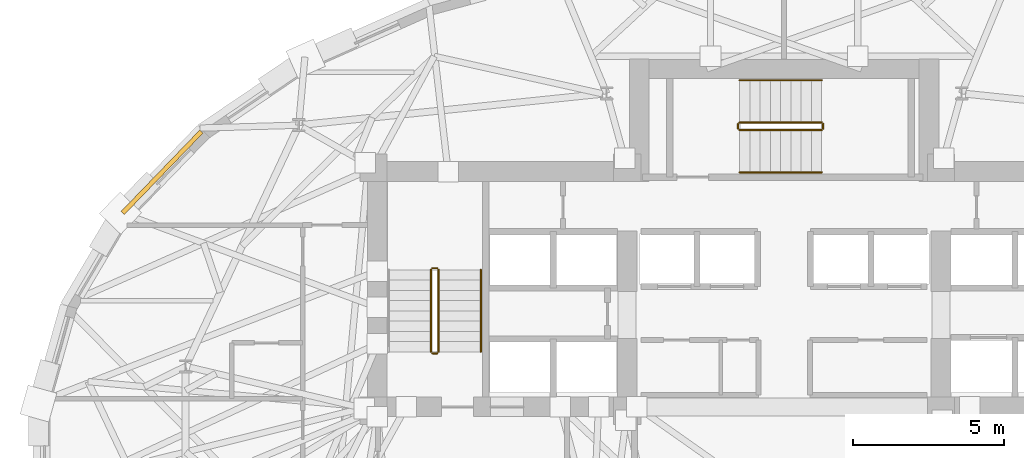
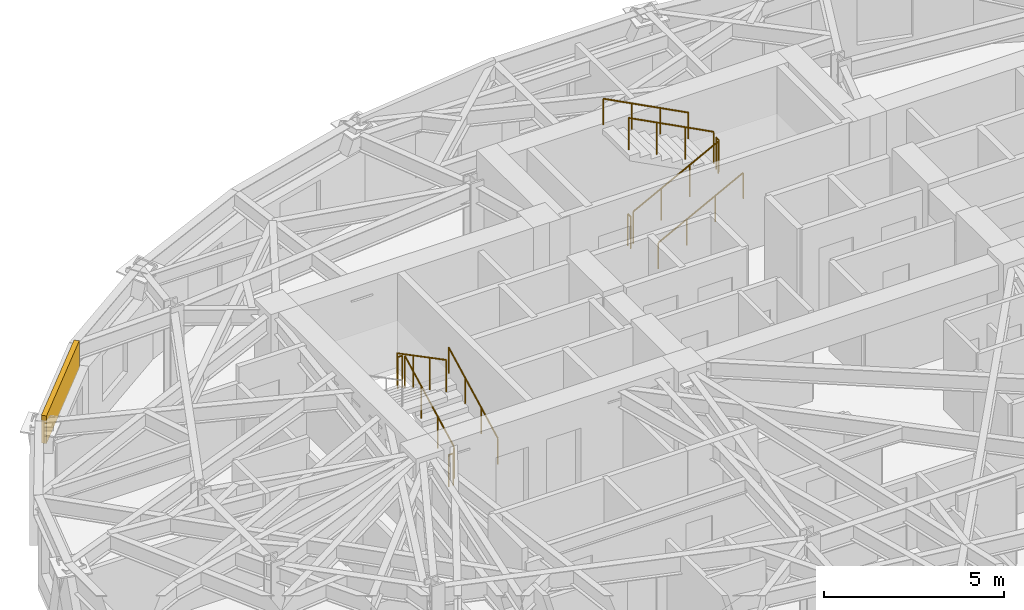
# One storey, part 13 of 15: 11 railings, 1 covering.
"""IFC4 building model written with IfcOpenShell, lengths in metres."""

from ifc_helpers import new_model, si_unit, direction, frame, origin, origin_2d, place, context, subcontext, project, spatial, rectangle, circle, extrude, material, layer, layer_set, type_object, element, save


model = new_model("IFC4")

# Units and contexts
model_context = context("Model", 3, precision=1e-05, world=origin(), true_north=direction((0.0, 1.0)))
body_context = subcontext(model_context, "Body", "Model", "MODEL_VIEW")
ifc_project = project(units=[si_unit("LENGTHUNIT", "METRE"), si_unit("AREAUNIT", "SQUARE_METRE"), si_unit("VOLUMEUNIT", "CUBIC_METRE"), si_unit("PLANEANGLEUNIT", "RADIAN"), si_unit("MASSUNIT", "GRAM", prefix="KILO")], contexts=[model_context])

# Site, building, storey
site_placement = place(None, origin())
site = spatial("IfcSite", under=ifc_project, at=site_placement, CompositionType="ELEMENT")
building_placement = place(site_placement, origin())
building = spatial("IfcBuilding", under=site, at=building_placement, Name="Keldmark Tower", CompositionType="ELEMENT")
storey_placement = place(building_placement, frame((0.0, 0.0, 163.0)))
storey = spatial("IfcBuildingStorey", under=building, at=storey_placement, Name="L44", CompositionType="ELEMENT", Elevation=163.0)

# Covering
ifc_material_1 = material(Name="Honed Kasota Buff Dolomitic Limestone", Category="masonry")
ifc_layer = layer(ifc_material_1, 0.074951171875)
ifc_layer_set = layer_set([ifc_layer], Name="Honed Kasota Buff Dolomitic Limestone")
covering_type = type_object("IfcCoveringType", Name="Kasota Buff Limestone Spandrel Cladding Band", PredefinedType="CLADDING", material=ifc_layer_set)
covering_placement = place(storey_placement, frame((-20.6142578125, 9.298095703125, 2.239013671875), z_axis=(0.0, 0.0, 1.0), x_axis=(-0.694959625859, -0.719048759422, 0.0)))
element("IfcCovering", 1, at=covering_placement, inside=storey, type_object=covering_type, Name="L44 Kasota Limestone Spandrel Band 13", PredefinedType="CLADDING", context=body_context, shape_type="SweptSolid", body=[
    extrude(rectangle(XDim=3.74609375, YDim=0.14990234375, at=origin_2d()), origin(), (0.0, 0.0, 1.0), 0.94091796875),
])

# Railings
ifc_material_2 = material(Name="Painted Steel ASTM A500 Grade B", Category="steel")
railing_type_1 = type_object("IfcRailingType", Name="Painted Steel Stair Well Guard 1100 mm", PredefinedType="GUARDRAIL", material=ifc_material_2)
railing_1_placement = place(storey_placement, frame((-11.449951171875, 3.35009765625, 0.177734375)))
element("IfcRailing", 2, at=railing_1_placement, inside=storey, type_object=railing_type_1, Name="L44 ST1 stair guard 1", PredefinedType="GUARDRAIL", context=body_context, shape_type="SweptSolid", body=[
    extrude(circle(Radius=0.02392578125, at=origin_2d()), frame((0.0, 0.0, 1.076171875), z_axis=(0.0, 0.886150474775, 0.463397600399), x_axis=(-1.0, 0.0, 0.0)), (0.0, 0.0, 1.0), 3.0693359375),
    extrude(circle(Radius=0.02099609375, at=origin_2d()), origin(), (0.0, 0.0, 1.0), 1.052001953125),
    extrude(circle(Radius=0.02099609375, at=origin_2d()), frame((0.0, 0.90673828125, 0.47412109375)), (0.0, 0.0, 1.0), 1.052001953125),
    extrude(circle(Radius=0.02099609375, at=origin_2d()), frame((0.0, 1.813232421875, 0.9482421875)), (0.0, 0.0, 1.0), 1.052001953125),
    extrude(circle(Radius=0.02099609375, at=origin_2d()), frame((0.0, 2.719970703125, 1.42236328125)), (0.0, 0.0, 1.0), 1.052001953125),
])
railing_2_placement = place(storey_placement, frame((-11.5, 6.1201171875, 1.60009765625)))
element("IfcRailing", 3, at=railing_2_placement, inside=storey, type_object=railing_type_1, Name="L44 ST1 stair guard 2", PredefinedType="GUARDRAIL", context=body_context, shape_type="SweptSolid", body=[
    extrude(circle(Radius=0.02392578125, at=origin_2d()), frame((0.0, 0.0, 1.076171875), z_axis=(-1.0, 0.0, 0.0), x_axis=(0.0, -1.0, 0.0)), (0.0, 0.0, 1.0), 0.14990234375),
    extrude(circle(Radius=0.02099609375, at=origin_2d()), origin(), (0.0, 0.0, 1.0), 1.052001953125),
    extrude(circle(Radius=0.02099609375, at=origin_2d()), frame((-0.14990234375, 0.0, 0.0)), (0.0, 0.0, 1.0), 1.052001953125),
])
railing_3_placement = place(storey_placement, frame((-11.699951171875, 6.070068359375, 1.77783203125)))
element("IfcRailing", 4, at=railing_3_placement, inside=storey, type_object=railing_type_1, Name="L44 ST1 stair guard 3", PredefinedType="GUARDRAIL", context=body_context, shape_type="SweptSolid", body=[
    extrude(circle(Radius=0.02392578125, at=origin_2d()), frame((0.0, 0.0, 1.076171875), z_axis=(0.0, -0.886183135912, 0.463335137482), x_axis=(1.0, 0.0, 0.0)), (0.0, 0.0, 1.0), 3.0693359375),
    extrude(circle(Radius=0.02099609375, at=origin_2d()), origin(), (0.0, 0.0, 1.0), 1.052001953125),
    extrude(circle(Radius=0.02099609375, at=origin_2d()), frame((0.0, -0.90673828125, 0.47412109375)), (0.0, 0.0, 1.0), 1.052001953125),
    extrude(circle(Radius=0.02099609375, at=origin_2d()), frame((0.0, -1.813232421875, 0.947998046875)), (0.0, 0.0, 1.0), 1.052001953125),
    extrude(circle(Radius=0.02099609375, at=origin_2d()), frame((0.0, -2.719970703125, 1.422119140625)), (0.0, 0.0, 1.0), 1.052001953125),
])
railing_4_placement = place(storey_placement, frame((-11.5, 3.300048828125, 0.0)))
element("IfcRailing", 5, at=railing_4_placement, inside=storey, type_object=railing_type_1, Name="L44 ST1 stair guard 4", PredefinedType="GUARDRAIL", context=body_context, shape_type="SweptSolid", body=[
    extrude(circle(Radius=0.02392578125, at=origin_2d()), frame((0.0, 0.0, 1.076171875), z_axis=(-1.0, 0.0, 0.0), x_axis=(0.0, -1.0, 0.0)), (0.0, 0.0, 1.0), 0.14990234375),
    extrude(circle(Radius=0.02099609375, at=origin_2d()), origin(), (0.0, 0.0, 1.0), 1.052001953125),
    extrude(circle(Radius=0.02099609375, at=origin_2d()), frame((-0.14990234375, 0.0, 0.0)), (0.0, 0.0, 1.0), 1.052001953125),
])
railing_5_placement = place(storey_placement, frame((-1.47509765625, 10.699951171875, 0.177734375)))
element("IfcRailing", 6, at=railing_5_placement, inside=storey, type_object=railing_type_1, Name="L44 ST3 stair guard 1", PredefinedType="GUARDRAIL", context=body_context, shape_type="SweptSolid", body=[
    extrude(circle(Radius=0.02392578125, at=origin_2d()), frame((0.0, 0.0, 1.076171875), z_axis=(0.886167553088, 0.0, 0.463364940252), x_axis=(0.0, 1.0, 0.0)), (0.0, 0.0, 1.0), 3.069580078125),
    extrude(circle(Radius=0.02099609375, at=origin_2d()), origin(), (0.0, 0.0, 1.0), 1.052001953125),
    extrude(circle(Radius=0.02099609375, at=origin_2d()), frame((0.90673828125, 0.0, 0.47412109375)), (0.0, 0.0, 1.0), 1.052001953125),
    extrude(circle(Radius=0.02099609375, at=origin_2d()), frame((1.8134765625, 0.0, 0.9482421875)), (0.0, 0.0, 1.0), 1.052001953125),
    extrude(circle(Radius=0.02099609375, at=origin_2d()), frame((2.72021484375, 0.0, 1.42236328125)), (0.0, 0.0, 1.0), 1.052001953125),
])
railing_6_placement = place(storey_placement, frame((1.294921875, 10.75, 1.60009765625)))
element("IfcRailing", 7, at=railing_6_placement, inside=storey, type_object=railing_type_1, Name="L44 ST3 stair guard 2", PredefinedType="GUARDRAIL", context=body_context, shape_type="SweptSolid", body=[
    extrude(circle(Radius=0.02392578125, at=origin_2d()), frame((0.0, 0.0, 1.076171875), z_axis=(0.0, 1.0, 0.0), x_axis=(-1.0, 0.0, 0.0)), (0.0, 0.0, 1.0), 0.14990234375),
    extrude(circle(Radius=0.02099609375, at=origin_2d()), origin(), (0.0, 0.0, 1.0), 1.052001953125),
    extrude(circle(Radius=0.02099609375, at=origin_2d()), frame((0.0, 0.14990234375, 0.0)), (0.0, 0.0, 1.0), 1.052001953125),
])
railing_7_placement = place(storey_placement, frame((1.2451171875, 10.949951171875, 1.77783203125)))
element("IfcRailing", 8, at=railing_7_placement, inside=storey, type_object=railing_type_1, Name="L44 ST3 stair guard 3", PredefinedType="GUARDRAIL", context=body_context, shape_type="SweptSolid", body=[
    extrude(circle(Radius=0.02392578125, at=origin_2d()), frame((0.0, 0.0, 1.076171875), z_axis=(-0.886200210249, 0.0, 0.463302479331), x_axis=(0.0, -1.0, 0.0)), (0.0, 0.0, 1.0), 3.069580078125),
    extrude(circle(Radius=0.02099609375, at=origin_2d()), origin(), (0.0, 0.0, 1.0), 1.052001953125),
    extrude(circle(Radius=0.02099609375, at=origin_2d()), frame((-0.90673828125, 0.0, 0.47412109375)), (0.0, 0.0, 1.0), 1.052001953125),
    extrude(circle(Radius=0.02099609375, at=origin_2d()), frame((-1.8134765625, 0.0, 0.947998046875)), (0.0, 0.0, 1.0), 1.052001953125),
    extrude(circle(Radius=0.02099609375, at=origin_2d()), frame((-2.72021484375, 0.0, 1.422119140625)), (0.0, 0.0, 1.0), 1.052001953125),
])
railing_8_placement = place(storey_placement, frame((-1.52490234375, 10.75, 0.0)))
element("IfcRailing", 9, at=railing_8_placement, inside=storey, type_object=railing_type_1, Name="L44 ST3 stair guard 4", PredefinedType="GUARDRAIL", context=body_context, shape_type="SweptSolid", body=[
    extrude(circle(Radius=0.02392578125, at=origin_2d()), frame((0.0, 0.0, 1.076171875), z_axis=(0.0, 1.0, 0.0), x_axis=(-1.0, 0.0, 0.0)), (0.0, 0.0, 1.0), 0.14990234375),
    extrude(circle(Radius=0.02099609375, at=origin_2d()), origin(), (0.0, 0.0, 1.0), 1.052001953125),
    extrude(circle(Radius=0.02099609375, at=origin_2d()), frame((0.0, 0.14990234375, 0.0)), (0.0, 0.0, 1.0), 1.052001953125),
])
ifc_material_3 = material(Name="Stainless Steel AISI 316L", Category="steel")
railing_type_2 = type_object("IfcRailingType", Name="Stainless Steel Stair Handrail 900 mm", PredefinedType="HANDRAIL", material=ifc_material_3)
railing_9_placement = place(storey_placement, frame((-10.050048828125, 3.35009765625, 0.177734375)))
element("IfcRailing", 10, at=railing_9_placement, inside=storey, type_object=railing_type_2, Name="L44 ST1 stair handrail 1", PredefinedType="HANDRAIL", context=body_context, shape_type="SweptSolid", body=[
    extrude(circle(Radius=0.02392578125, at=origin_2d()), frame((0.0, 0.0, 0.8759765625), z_axis=(0.0, 0.886150474775, 0.463397600399), x_axis=(-1.0, 0.0, 0.0)), (0.0, 0.0, 1.0), 3.0693359375),
    extrude(circle(Radius=0.02099609375, at=origin_2d()), origin(), (0.0, 0.0, 1.0), 0.851806640625),
    extrude(circle(Radius=0.02099609375, at=origin_2d()), frame((0.0, 0.90673828125, 0.47412109375)), (0.0, 0.0, 1.0), 0.851806640625),
    extrude(circle(Radius=0.02099609375, at=origin_2d()), frame((0.0, 1.813232421875, 0.9482421875)), (0.0, 0.0, 1.0), 0.851806640625),
    extrude(circle(Radius=0.02099609375, at=origin_2d()), frame((0.0, 2.719970703125, 1.42236328125)), (0.0, 0.0, 1.0), 0.851806640625),
])
railing_10_placement = place(storey_placement, frame((-1.47509765625, 9.300048828125, 0.177734375)))
element("IfcRailing", 11, at=railing_10_placement, inside=storey, type_object=railing_type_2, Name="L44 ST3 stair handrail 1", PredefinedType="HANDRAIL", context=body_context, shape_type="SweptSolid", body=[
    extrude(circle(Radius=0.02392578125, at=origin_2d()), frame((0.0, 0.0, 0.8759765625), z_axis=(0.886167553088, 0.0, 0.463364940252), x_axis=(0.0, 1.0, 0.0)), (0.0, 0.0, 1.0), 3.069580078125),
    extrude(circle(Radius=0.02099609375, at=origin_2d()), origin(), (0.0, 0.0, 1.0), 0.851806640625),
    extrude(circle(Radius=0.02099609375, at=origin_2d()), frame((0.90673828125, 0.0, 0.47412109375)), (0.0, 0.0, 1.0), 0.851806640625),
    extrude(circle(Radius=0.02099609375, at=origin_2d()), frame((1.8134765625, 0.0, 0.9482421875)), (0.0, 0.0, 1.0), 0.851806640625),
    extrude(circle(Radius=0.02099609375, at=origin_2d()), frame((2.72021484375, 0.0, 1.42236328125)), (0.0, 0.0, 1.0), 0.851806640625),
])
railing_11_placement = place(storey_placement, frame((1.2451171875, 12.35009765625, 1.77783203125)))
element("IfcRailing", 12, at=railing_11_placement, inside=storey, type_object=railing_type_2, Name="L44 ST3 stair handrail 2", PredefinedType="HANDRAIL", context=body_context, shape_type="SweptSolid", body=[
    extrude(circle(Radius=0.02392578125, at=origin_2d()), frame((0.0, 0.0, 0.8759765625), z_axis=(-0.886200210249, 0.0, 0.463302479331), x_axis=(0.0, -1.0, 0.0)), (0.0, 0.0, 1.0), 3.069580078125),
    extrude(circle(Radius=0.02099609375, at=origin_2d()), origin(), (0.0, 0.0, 1.0), 0.851806640625),
    extrude(circle(Radius=0.02099609375, at=origin_2d()), frame((-0.90673828125, 0.0, 0.47412109375)), (0.0, 0.0, 1.0), 0.851806640625),
    extrude(circle(Radius=0.02099609375, at=origin_2d()), frame((-1.8134765625, 0.0, 0.947998046875)), (0.0, 0.0, 1.0), 0.851806640625),
    extrude(circle(Radius=0.02099609375, at=origin_2d()), frame((-2.72021484375, 0.0, 1.422119140625)), (0.0, 0.0, 1.0), 0.851806640625),
])

save(model, "model.ifc")
